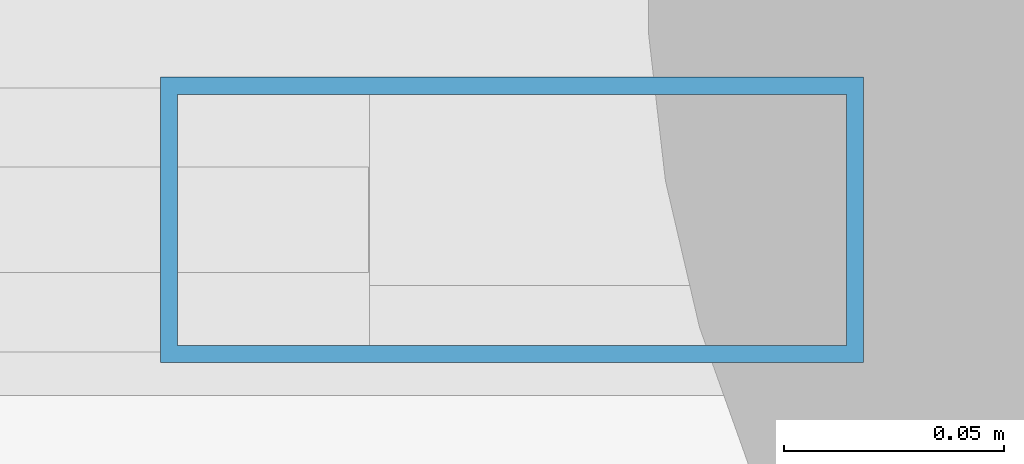
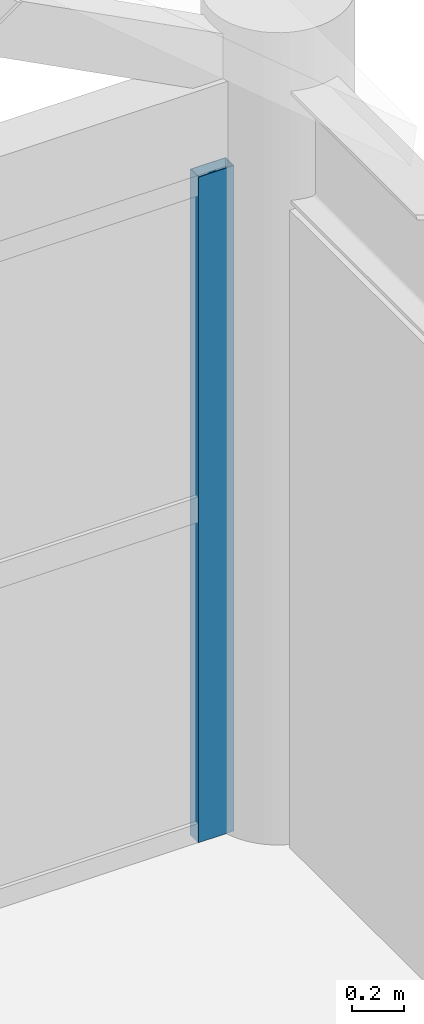
# One storey, part 14 of 21: 1 member, 1 element without a shape of its own.
"""IFC4 building model written with IfcOpenShell, lengths in metres."""

from ifc_helpers import new_model, si_unit, direction, frame, origin, origin_2d, place, context, subcontext, project, spatial, hollow_rectangle, extrude, material, material_profile, profile_set, type_object, element, aggregate, save


model = new_model("IFC4")

# Units and contexts
model_context = context("Model", 3, precision=1e-05, world=origin(), true_north=direction((0.0, 1.0)))
body_context = subcontext(model_context, "Body", "Model", "MODEL_VIEW")
ifc_project = project(units=[si_unit("LENGTHUNIT", "METRE"), si_unit("AREAUNIT", "SQUARE_METRE"), si_unit("VOLUMEUNIT", "CUBIC_METRE"), si_unit("PLANEANGLEUNIT", "RADIAN"), si_unit("MASSUNIT", "GRAM", prefix="KILO")], contexts=[model_context])

# Site, building, storey
site_placement = place(None, origin())
site = spatial("IfcSite", under=ifc_project, at=site_placement, CompositionType="ELEMENT")
building_placement = place(site_placement, origin())
building = spatial("IfcBuilding", under=site, at=building_placement, Name="Karori Crest Natural Sciences Institute", CompositionType="ELEMENT")
storey_placement = place(building_placement, frame((0.0, 0.0, 42.0)))
storey = spatial("IfcBuildingStorey", under=building, at=storey_placement, Name="L10", CompositionType="ELEMENT", Elevation=42.0)

# Curtain wall, member
ifc_material = material(Name="Anodised architectural aluminium 6063-T6", Category="aluminium")
curtain_wall_type = type_object("IfcCurtainWallType", Name="CWT-20", PredefinedType="NOTDEFINED", material=ifc_material)
curtain_wall_placement = place(storey_placement, origin())
curtain_wall = element("IfcCurtainWall", 1, at=curtain_wall_placement, inside=storey, type_object=curtain_wall_type, Name="Curtain wall CW-0383", PredefinedType="NOTDEFINED")
ifc_material_profile = material_profile(ifc_material, hollow_rectangle(XDim=0.06494140625, YDim=0.159912109375, WallThickness=0.00390625, at=origin_2d()), Name="CWM160x65x4")
ifc_profile_set = profile_set([ifc_material_profile], Name="Anodised architectural aluminium 6063-T6")
member_type = type_object("IfcMemberType", Name="CWM-01", PredefinedType="MULLION", material=ifc_profile_set)
member_placement = place(storey_placement, frame((136.26953125, 20.5400390625, 0.0), z_axis=(0.0, 0.0, 1.0), x_axis=(0.0, 1.0, 0.0)))
member = element("IfcMember", 2, at=member_placement, type_object=member_type, Name="CW-0383 mullion 3", PredefinedType="MULLION", context=body_context, shape_type="SweptSolid", body=[
    extrude(hollow_rectangle(XDim=0.06494140625, YDim=0.159912109375, WallThickness=0.00390625, at=origin_2d()), origin(), (0.0, 0.0, 1.0), 3.155029296875),
])
aggregate(curtain_wall, [member])

save(model, "model.ifc")
